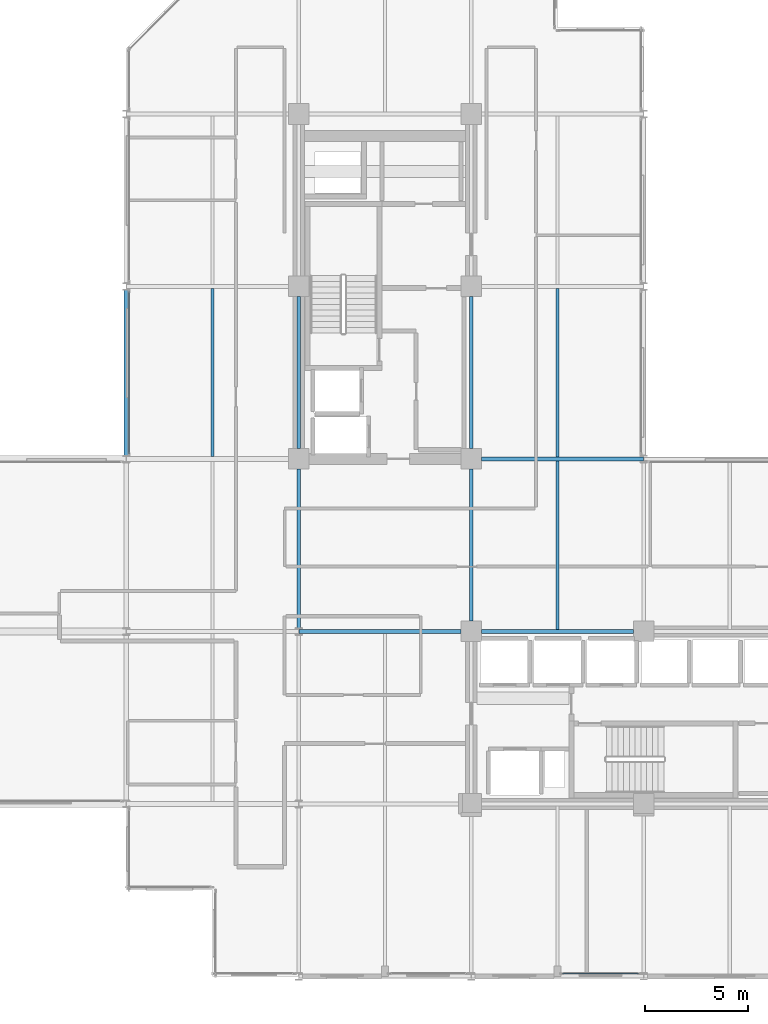
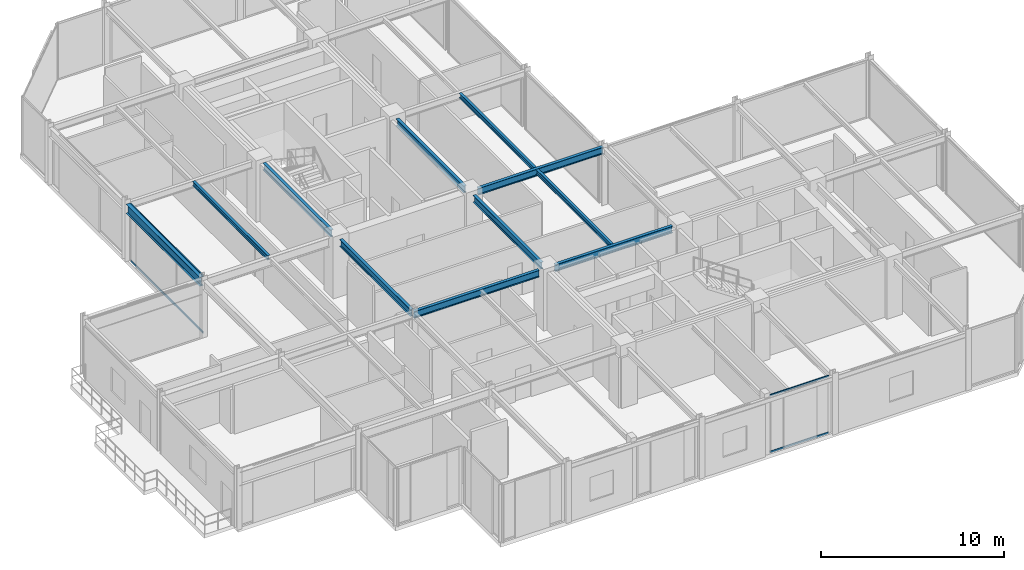
# One storey, part 10 of 29: 11 beams, 4 members, 2 elements without a shape of their own.
"""IFC4 building model written with IfcOpenShell, lengths in metres."""

import ifcopenshell
import ifcopenshell.guid

model = None  # the IFC model being written
_history = None  # IfcOwnerHistory: only IFC2X3 demands one
_inside = {}  # id of a spatial element -> (the spatial element, [elements in it])
_under = {}  # id of a project, library or spatial element -> (it, [spatial elements below it])
_declared = {}  # id of a project -> (the project, [libraries it declares])
_typed = {}  # id of a type object -> (the type object, [elements of that type])
_made_of = {}  # id of a material, layer set ... -> (it, [elements and type objects made of it])


def new_model(schema):
    """Start an empty IFC model of exactly this schema.

    Asked for "IFC4X3", IfcOpenShell would pick the latest addendum, in which some entities
    have other attributes; the version numbers below select the first issue.
    IFC2X3 requires an IfcOwnerHistory on every rooted entity: one is made here for all.
    """
    global model, _history
    if schema == "IFC4X3":
        model = ifcopenshell.file(schema_version=(4, 3, 0, 0))
    else:
        model = ifcopenshell.file(schema=schema)
    _inside.clear()
    _under.clear()
    _declared.clear()
    _typed.clear()
    _made_of.clear()
    _history = None
    if model.schema == "IFC2X3":
        org = make("IfcOrganization", Name="unknown")
        user = make(
            "IfcPersonAndOrganization",
            ThePerson=make("IfcPerson", FamilyName="unknown"),
            TheOrganization=org,
        )
        app = make(
            "IfcApplication",
            ApplicationDeveloper=org,
            Version="unknown",
            ApplicationFullName="unknown",
            ApplicationIdentifier="unknown",
        )
        _history = make(
            "IfcOwnerHistory",
            OwningUser=user,
            OwningApplication=app,
            ChangeAction="ADDED",
            CreationDate=0,
        )
    return model


def make(cls, **values):
    """One entity of the class cls with the attributes given. An attribute that is None is left unset."""
    return model.create_entity(
        cls, **{name: value for name, value in values.items() if value is not None}
    )


def rooted(cls, **values):
    """An entity with a GlobalId (a new one), such as an element, a storey or a relation."""
    return make(cls, GlobalId=ifcopenshell.guid.new(), OwnerHistory=_history, **values)


def si_unit(unit_type, name, prefix=None):
    """IfcSIUnit, for example si_unit("LENGTHUNIT", "METRE", prefix="MILLI")."""
    return make("IfcSIUnit", UnitType=unit_type, Prefix=prefix, Name=name)


def assignment(units):
    """IfcUnitAssignment: the units of a project."""
    return None if units is None else make("IfcUnitAssignment", Units=units)


def point(xyz):
    """IfcCartesianPoint."""
    return None if xyz is None else make("IfcCartesianPoint", Coordinates=xyz)


def direction(xyz):
    """IfcDirection."""
    return None if xyz is None else make("IfcDirection", DirectionRatios=xyz)


def frame(location, z_axis=None, x_axis=None):
    """IfcAxis2Placement3D, a coordinate frame: its origin and axes. An axis left out is left unset."""
    return make(
        "IfcAxis2Placement3D",
        Location=point(location),
        Axis=direction(z_axis),
        RefDirection=direction(x_axis),
    )


def frame_2d(location, x_axis=None):
    """IfcAxis2Placement2D, a coordinate frame in the plane: its origin and x axis."""
    return make(
        "IfcAxis2Placement2D", Location=point(location), RefDirection=direction(x_axis)
    )


def origin():
    """The frame at (0, 0, 0) with its axes left unset."""
    return frame((0.0, 0.0, 0.0))


def origin_2d():
    """The frame at (0, 0) in the plane with its x axis left unset."""
    return frame_2d((0.0, 0.0))


def place(relative_to, where):
    """IfcLocalPlacement: puts the frame where relative to a parent placement (None: the world)."""
    return make(
        "IfcLocalPlacement", PlacementRelTo=relative_to, RelativePlacement=where
    )


def context(
    kind, dimensions, precision=None, world=None, true_north=None, identifier=None
):
    """IfcGeometricRepresentationContext, for example the 3D "Model" context."""
    return make(
        "IfcGeometricRepresentationContext",
        ContextIdentifier=identifier,
        ContextType=kind,
        CoordinateSpaceDimension=dimensions,
        Precision=precision,
        WorldCoordinateSystem=world,
        TrueNorth=true_north,
    )


def subcontext(parent, identifier, kind, view, scale=None):
    """IfcGeometricRepresentationSubContext, for example "Body" below "Model"."""
    return make(
        "IfcGeometricRepresentationSubContext",
        ContextIdentifier=identifier,
        ContextType=kind,
        ParentContext=parent,
        TargetScale=scale,
        TargetView=view,
    )


def project(units=None, contexts=None):
    """IfcProject with its units and contexts."""
    return rooted(
        "IfcProject",
        Name="project",
        RepresentationContexts=contexts,
        UnitsInContext=assignment(units),
    )


def spatial(cls, under=None, at=None, **own):
    """A site, building, storey or space (cls), placed at a placement, below another one or the project."""
    s = rooted(cls, ObjectPlacement=at, **own)
    if under is not None:
        _under.setdefault(under.id(), (under, []))[1].append(s)
    return s


def profile(cls, at=None, kind="AREA", **sizes):
    """A parametric profile (cls). Its sizes go by their IFC names, for example OverallWidth=200.0."""
    return make(cls, ProfileType=kind, Position=at, **sizes)


def hollow_rectangle(**sizes):
    """IfcRectangleHollowProfileDef."""
    return profile("IfcRectangleHollowProfileDef", **sizes)


def i_section(**sizes):
    """IfcIShapeProfileDef."""
    return profile("IfcIShapeProfileDef", **sizes)


def extrude(swept, where, along, depth):
    """IfcExtrudedAreaSolid: the profile swept, set in the frame where, extruded along a direction by depth."""
    return make(
        "IfcExtrudedAreaSolid",
        SweptArea=swept,
        Position=where,
        ExtrudedDirection=direction(along),
        Depth=depth,
    )


def shape(context_of_items, identifier, shape_type, items):
    """IfcShapeRepresentation: the items that make up one representation, for example the "Body"."""
    return make(
        "IfcShapeRepresentation",
        ContextOfItems=context_of_items,
        RepresentationIdentifier=identifier,
        RepresentationType=shape_type,
        Items=items,
    )


def material(Name=None, Category=None):
    """IfcMaterial."""
    return make("IfcMaterial", Name=Name, Category=Category)


def layer(
    of_material, thickness, ventilated=None, Name=None, Category=None, Priority=None
):
    """IfcMaterialLayer: one layer of a wall or slab, of a material (None: an air gap)."""
    return make(
        "IfcMaterialLayer",
        Material=of_material,
        LayerThickness=thickness,
        IsVentilated=ventilated,
        Name=Name,
        Category=Category,
        Priority=Priority,
    )


def layer_set(layers, Name=None):
    """IfcMaterialLayerSet."""
    return make("IfcMaterialLayerSet", MaterialLayers=layers, LayerSetName=Name)


def material_profile(
    of_material, cross_section, Name=None, Category=None, Priority=None
):
    """IfcMaterialProfile: a cross section and its material."""
    return make(
        "IfcMaterialProfile",
        Name=Name,
        Material=of_material,
        Profile=cross_section,
        Priority=Priority,
        Category=Category,
    )


def profile_set(profiles, Name=None, composite=None):
    """IfcMaterialProfileSet."""
    return make(
        "IfcMaterialProfileSet",
        Name=Name,
        MaterialProfiles=profiles,
        CompositeProfile=composite,
    )


def made_of(thing, what):
    """Note that an element or type object is made of a material, layer set ...; save() writes the relation."""
    if what is not None:
        _made_of.setdefault(what.id(), (what, []))[1].append(thing)
    return thing


def type_object(cls, material=None, **own):
    """A type object (cls), such as IfcWallType, which elements share."""
    return made_of(rooted(cls, **own), material)


def element(
    cls,
    number,
    at=None,
    inside=None,
    cuts=None,
    type_object=None,
    material=None,
    context=None,
    identifier="Body",
    shape_type=None,
    held_by="IfcProductDefinitionShape",
    body=None,
    shapes=None,
    **own,
):
    """One element of the class cls, such as IfcWall. Its Tag is "e" and its number.

    at: its placement. inside: the storey or other place that contains it. cuts: it is an
    opening in that element (IfcRelVoidsElement). A single representation is given by context,
    identifier, shape_type and body (its items); several are given by shapes. held_by: the class
    of the entity that holds the representations. save() writes the other relations.
    """
    e = rooted(cls, Tag="e%d" % number, ObjectPlacement=at, **own)
    if body is not None:
        shapes = [shape(context, identifier, shape_type, body)]
    if shapes is not None:
        e.Representation = make(held_by, Representations=shapes)
    if inside is not None:
        _inside.setdefault(inside.id(), (inside, []))[1].append(e)
    if cuts is not None:
        rooted(
            "IfcRelVoidsElement", RelatingBuildingElement=cuts, RelatedOpeningElement=e
        )
    if type_object is not None:
        _typed.setdefault(type_object.id(), (type_object, []))[1].append(e)
    return made_of(e, material)


def aggregate(whole, parts):
    """IfcRelAggregates: a whole, such as a stair, and the parts it consists of."""
    return rooted("IfcRelAggregates", RelatingObject=whole, RelatedObjects=parts)


def save(model, path):
    """Write the relations noted so far, then the file.

    IfcRelAggregates (storeys below a building ...), IfcRelContainedInSpatialStructure (elements
    in a storey), IfcRelDefinesByType, IfcRelAssociatesMaterial and IfcRelDeclares: one each for
    every whole, place, type object, material and project.
    """
    for whole, parts in _under.values():
        aggregate(whole, parts)
    for where, things in _inside.values():
        rooted(
            "IfcRelContainedInSpatialStructure",
            RelatedElements=things,
            RelatingStructure=where,
        )
    for kind, things in _typed.values():
        rooted("IfcRelDefinesByType", RelatedObjects=things, RelatingType=kind)
    for what, things in _made_of.values():
        rooted("IfcRelAssociatesMaterial", RelatedObjects=things, RelatingMaterial=what)
    for by, libraries in _declared.values():
        rooted("IfcRelDeclares", RelatingContext=by, RelatedDefinitions=libraries)
    model.write(path)


model = new_model("IFC4")

# Units and contexts
model_context = context("Model", 3, precision=1e-05, world=origin(), true_north=direction((0.0, 1.0)))
body_context = subcontext(model_context, "Body", "Model", "MODEL_VIEW")
ifc_project = project(units=[si_unit("LENGTHUNIT", "METRE"), si_unit("AREAUNIT", "SQUARE_METRE"), si_unit("VOLUMEUNIT", "CUBIC_METRE"), si_unit("PLANEANGLEUNIT", "RADIAN"), si_unit("MASSUNIT", "GRAM", prefix="KILO")], contexts=[model_context])

# Site, building, storey
site_placement = place(None, origin())
site = spatial("IfcSite", under=ifc_project, at=site_placement, CompositionType="ELEMENT")
building_placement = place(site_placement, origin())
building = spatial("IfcBuilding", under=site, at=building_placement, Name="Nerrivon Quay Data Exchange", CompositionType="ELEMENT")
storey_placement = place(building_placement, frame((0.0, 0.0, 200.10009765625)))
storey = spatial("IfcBuildingStorey", under=building, at=storey_placement, Name="L47", CompositionType="ELEMENT", Elevation=200.10009765625)

# Beams
ifc_material_1 = material(Name="Steel Grade 350", Category="steel")
ifc_material_profile_1 = material_profile(ifc_material_1, i_section(OverallWidth=0.22802734375, OverallDepth=0.60205078125, WebThickness=0.010498046875, FlangeThickness=0.014892578125, FilletRadius=0.013916015625, at=origin_2d()), Name="610UB101")
ifc_profile_set_1 = profile_set([ifc_material_profile_1], Name="Steel Grade 350")
beam_type_1 = type_object("IfcBeamType", Name="BM-G2-610UB101", PredefinedType="BEAM", material=ifc_profile_set_1)
beam_1_placement = place(storey_placement, frame((0.0, 25.375, 3.52392578125), z_axis=(0.0, 1.0, 0.0), x_axis=(-1.0, 0.0, 0.0)))
element("IfcBeam", 1, at=beam_1_placement, inside=storey, type_object=beam_type_1, Name="L47 NS Girder X=0.0 (25.2..33.6)", PredefinedType="BEAM", context=body_context, shape_type="SweptSolid", body=[
    extrude(i_section(OverallWidth=0.22802734375, OverallDepth=0.60205078125, WebThickness=0.010498046875, FlangeThickness=0.014892578125, FilletRadius=0.013916015625, at=origin_2d()), origin(), (0.0, 0.0, 1.0), 8.050048828125),
])
ifc_material_profile_2 = material_profile(ifc_material_1, i_section(OverallWidth=0.19091796875, OverallDepth=0.4599609375, WebThickness=0.010009765625, FlangeThickness=0.01611328125, FilletRadius=0.011474609375, at=origin_2d()), Name="460UB82.1")
ifc_profile_set_2 = profile_set([ifc_material_profile_2], Name="Steel Grade 350")
beam_type_2 = type_object("IfcBeamType", Name="BM-G5-460UB82", PredefinedType="BEAM", material=ifc_profile_set_2)
beam_2_placement = place(storey_placement, frame((8.409912109375, 16.800048828125, 3.594970703125), z_axis=(1.0, 0.0, 0.0), x_axis=(0.0, 1.0, 0.0)))
element("IfcBeam", 2, at=beam_2_placement, inside=storey, type_object=beam_type_2, Name="L47 EW Girder Y=16.8 (8.4..16.8)", PredefinedType="BEAM", context=body_context, shape_type="SweptSolid", body=[
    extrude(i_section(OverallWidth=0.19091796875, OverallDepth=0.4599609375, WebThickness=0.010009765625, FlangeThickness=0.01611328125, FilletRadius=0.011474609375, at=origin_2d()), origin(), (0.0, 0.0, 1.0), 7.89013671875),
])
beam_3_placement = place(storey_placement, frame((17.300048828125, 16.800048828125, 3.594970703125), z_axis=(1.0, 0.0, 0.0), x_axis=(0.0, 1.0, 0.0)))
element("IfcBeam", 3, at=beam_3_placement, inside=storey, type_object=beam_type_2, Name="L47 EW Girder Y=16.8 (16.8..25.2)", PredefinedType="BEAM", context=body_context, shape_type="SweptSolid", body=[
    extrude(i_section(OverallWidth=0.19091796875, OverallDepth=0.4599609375, WebThickness=0.010009765625, FlangeThickness=0.01611328125, FilletRadius=0.011474609375, at=origin_2d()), origin(), (0.0, 0.0, 1.0), 7.39990234375),
])
beam_4_placement = place(storey_placement, frame((17.300048828125, 25.199951171875, 3.594970703125), z_axis=(1.0, 0.0, 0.0), x_axis=(0.0, 1.0, 0.0)))
element("IfcBeam", 4, at=beam_4_placement, inside=storey, type_object=beam_type_2, Name="L47 EW Girder Y=25.2 (16.8..25.2)", PredefinedType="BEAM", context=body_context, shape_type="SweptSolid", body=[
    extrude(i_section(OverallWidth=0.19091796875, OverallDepth=0.4599609375, WebThickness=0.010009765625, FlangeThickness=0.01611328125, FilletRadius=0.011474609375, at=origin_2d()), origin(), (0.0, 0.0, 1.0), 7.889892578125),
])
ifc_material_profile_3 = material_profile(ifc_material_1, i_section(OverallWidth=0.18994140625, OverallDepth=0.4541015625, WebThickness=0.008544921875, FlangeThickness=0.0126953125, FilletRadius=0.011474609375, at=origin_2d()), Name="460UB67.1")
ifc_profile_set_3 = profile_set([ifc_material_profile_3], Name="Steel Grade 350")
beam_type_3 = type_object("IfcBeamType", Name="BM-G6-460UB67", PredefinedType="BEAM", material=ifc_profile_set_3)
beam_5_placement = place(storey_placement, frame((8.39990234375, 16.97509765625, 3.597900390625), z_axis=(0.0, 1.0, 0.0), x_axis=(-1.0, 0.0, 0.0)))
element("IfcBeam", 5, at=beam_5_placement, inside=storey, type_object=beam_type_3, Name="L47 NS Girder X=8.4 (16.8..25.2)", PredefinedType="BEAM", context=body_context, shape_type="SweptSolid", body=[
    extrude(i_section(OverallWidth=0.18994140625, OverallDepth=0.4541015625, WebThickness=0.008544921875, FlangeThickness=0.0126953125, FilletRadius=0.011474609375, at=origin_2d()), origin(), (0.0, 0.0, 1.0), 7.724853515625),
])
beam_6_placement = place(storey_placement, frame((8.39990234375, 25.699951171875, 3.597900390625), z_axis=(0.0, 1.0, 0.0), x_axis=(-1.0, 0.0, 0.0)))
element("IfcBeam", 6, at=beam_6_placement, inside=storey, type_object=beam_type_3, Name="L47 NS Girder X=8.4 (25.2..33.6)", PredefinedType="BEAM", context=body_context, shape_type="SweptSolid", body=[
    extrude(i_section(OverallWidth=0.18994140625, OverallDepth=0.4541015625, WebThickness=0.008544921875, FlangeThickness=0.0126953125, FilletRadius=0.011474609375, at=origin_2d()), origin(), (0.0, 0.0, 1.0), 7.400146484375),
])
beam_7_placement = place(storey_placement, frame((16.800048828125, 17.300048828125, 3.597900390625), z_axis=(0.0, 1.0, 0.0), x_axis=(-1.0, 0.0, 0.0)))
element("IfcBeam", 7, at=beam_7_placement, inside=storey, type_object=beam_type_3, Name="L47 NS Girder X=16.8 (16.8..25.2)", PredefinedType="BEAM", context=body_context, shape_type="SweptSolid", body=[
    extrude(i_section(OverallWidth=0.18994140625, OverallDepth=0.4541015625, WebThickness=0.008544921875, FlangeThickness=0.0126953125, FilletRadius=0.011474609375, at=origin_2d()), origin(), (0.0, 0.0, 1.0), 7.39990234375),
])
beam_8_placement = place(storey_placement, frame((16.800048828125, 25.699951171875, 3.597900390625), z_axis=(0.0, 1.0, 0.0), x_axis=(-1.0, 0.0, 0.0)))
element("IfcBeam", 8, at=beam_8_placement, inside=storey, type_object=beam_type_3, Name="L47 NS Girder X=16.8 (25.2..33.6)", PredefinedType="BEAM", context=body_context, shape_type="SweptSolid", body=[
    extrude(i_section(OverallWidth=0.18994140625, OverallDepth=0.4541015625, WebThickness=0.008544921875, FlangeThickness=0.0126953125, FilletRadius=0.011474609375, at=origin_2d()), origin(), (0.0, 0.0, 1.0), 7.400146484375),
])
ifc_material_profile_4 = material_profile(ifc_material_1, i_section(OverallWidth=0.166015625, OverallDepth=0.306884765625, WebThickness=0.006591796875, FlangeThickness=0.01171875, FilletRadius=0.011474609375, at=origin_2d()), Name="310UB46.2")
ifc_profile_set_4 = profile_set([ifc_material_profile_4], Name="Steel Grade 350")
beam_type_4 = type_object("IfcBeamType", Name="BM-J5-310UB46", PredefinedType="JOIST", material=ifc_profile_set_4)
beam_9_placement = place(storey_placement, frame((4.199951171875, 25.314453125, 3.67138671875), z_axis=(0.0, 1.0, 0.0), x_axis=(-1.0, 0.0, 0.0)))
element("IfcBeam", 9, at=beam_9_placement, inside=storey, type_object=beam_type_4, Name="L47 Secondary Joist X=4.2 (25.2..33.6)", PredefinedType="JOIST", context=body_context, shape_type="SweptSolid", body=[
    extrude(i_section(OverallWidth=0.166015625, OverallDepth=0.306884765625, WebThickness=0.006591796875, FlangeThickness=0.01171875, FilletRadius=0.011474609375, at=origin_2d()), origin(), (0.0, 0.0, 1.0), 8.18994140625),
])
for number, where, z_axis, x_axis, name in (
    (10, (21.0, 16.8955078125, 3.67138671875), (0.0, 1.0, 0.0), (-1.0, 0.0, 0.0), "L47 Secondary Joist X=21.0 (16.8..25.2)"),
    (11, (21.0, 25.29541015625, 3.67138671875), (0.0, 1.0, 0.0), (-1.0, 0.0, 0.0), "L47 Secondary Joist X=21.0 (25.2..33.6)"),
):
    element("IfcBeam", number, at=place(storey_placement, frame(where, z_axis=z_axis, x_axis=x_axis)), inside=storey, type_object=beam_type_4, Name=name, PredefinedType="JOIST", context=body_context, shape_type="SweptSolid", body=[
        extrude(i_section(OverallWidth=0.166015625, OverallDepth=0.306884765625, WebThickness=0.006591796875, FlangeThickness=0.01171875, FilletRadius=0.011474609375, at=origin_2d()), origin(), (0.0, 0.0, 1.0), 8.208984375),
    ])

# Curtain wall, members
ifc_material_2 = material(Name="Anodised aluminium 6063-T6", Category="aluminium")
ifc_layer = layer(ifc_material_2, 0.195068359375)
ifc_layer_set = layer_set([ifc_layer], Name="Anodised aluminium 6063-T6")
curtain_wall_type = type_object("IfcCurtainWallType", Name="CW-SYS-06", PredefinedType="NOTDEFINED", material=ifc_layer_set)
curtain_wall_1_placement = place(storey_placement, origin())
curtain_wall_1 = element("IfcCurtainWall", 12, at=curtain_wall_1_placement, inside=storey, type_object=curtain_wall_type, Name="L47 Unitised Curtain Wall 4", PredefinedType="NOTDEFINED")
ifc_material_profile_5 = material_profile(ifc_material_2, hollow_rectangle(XDim=0.06005859375, YDim=0.1201171875, WallThickness=0.003173828125, at=origin_2d()), Name="ALU-TRAN-120x60")
ifc_profile_set_5 = profile_set([ifc_material_profile_5], Name="Anodised aluminium 6063-T6")
member_type = type_object("IfcMemberType", Name="CWT-120x60", PredefinedType="USERDEFINED", material=ifc_profile_set_5)
member_1_placement = place(storey_placement, frame((0.139892578125, 25.449951171875, 0.032470703125), z_axis=(0.0, 1.0, 0.0), x_axis=(-1.0, 0.0, 0.0)))
member_1 = element("IfcMember", 13, at=member_1_placement, type_object=member_type, Name="CW06 transom 1.1", ObjectType="TRANSOM", PredefinedType="USERDEFINED", context=body_context, shape_type="SweptSolid", body=[
    extrude(hollow_rectangle(XDim=0.06005859375, YDim=0.1201171875, WallThickness=0.003173828125, at=origin_2d()), origin(), (0.0, 0.0, 1.0), 7.900146484375),
])
member_2_placement = place(storey_placement, frame((0.139892578125, 25.449951171875, 3.79248046875), z_axis=(0.0, 1.0, 0.0), x_axis=(-1.0, 0.0, 0.0)))
member_2 = element("IfcMember", 14, at=member_2_placement, type_object=member_type, Name="CW06 transom 1.2", ObjectType="TRANSOM", PredefinedType="USERDEFINED", context=body_context, shape_type="SweptSolid", body=[
    extrude(hollow_rectangle(XDim=0.06005859375, YDim=0.1201171875, WallThickness=0.003173828125, at=origin_2d()), origin(), (0.0, 0.0, 1.0), 7.900146484375),
])
aggregate(curtain_wall_1, [member_1, member_2])

curtain_wall_2_placement = place(storey_placement, origin())
curtain_wall_2 = element("IfcCurtainWall", 15, at=curtain_wall_2_placement, inside=storey, type_object=curtain_wall_type, Name="L47 Unitised Curtain Wall 24", PredefinedType="NOTDEFINED")
member_3_placement = place(storey_placement, frame((24.949951171875, 0.139892578125, 0.032470703125), z_axis=(-1.0, 0.0, 0.0), x_axis=(0.0, -1.0, 0.0)))
member_3 = element("IfcMember", 16, at=member_3_placement, type_object=member_type, Name="CW06 transom 1.1", ObjectType="TRANSOM", PredefinedType="USERDEFINED", context=body_context, shape_type="SweptSolid", body=[
    extrude(hollow_rectangle(XDim=0.06005859375, YDim=0.1201171875, WallThickness=0.003173828125, at=origin_2d()), origin(), (0.0, 0.0, 1.0), 3.699951171875),
])
member_4_placement = place(storey_placement, frame((24.949951171875, 0.139892578125, 3.79248046875), z_axis=(-1.0, 0.0, 0.0), x_axis=(0.0, -1.0, 0.0)))
member_4 = element("IfcMember", 17, at=member_4_placement, type_object=member_type, Name="CW06 transom 1.2", ObjectType="TRANSOM", PredefinedType="USERDEFINED", context=body_context, shape_type="SweptSolid", body=[
    extrude(hollow_rectangle(XDim=0.06005859375, YDim=0.1201171875, WallThickness=0.003173828125, at=origin_2d()), origin(), (0.0, 0.0, 1.0), 3.699951171875),
])
aggregate(curtain_wall_2, [member_3, member_4])

save(model, "model.ifc")
